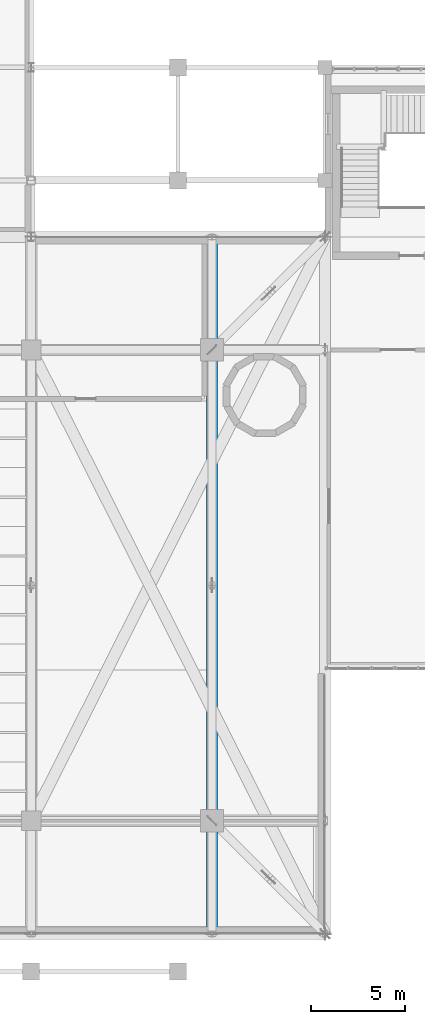
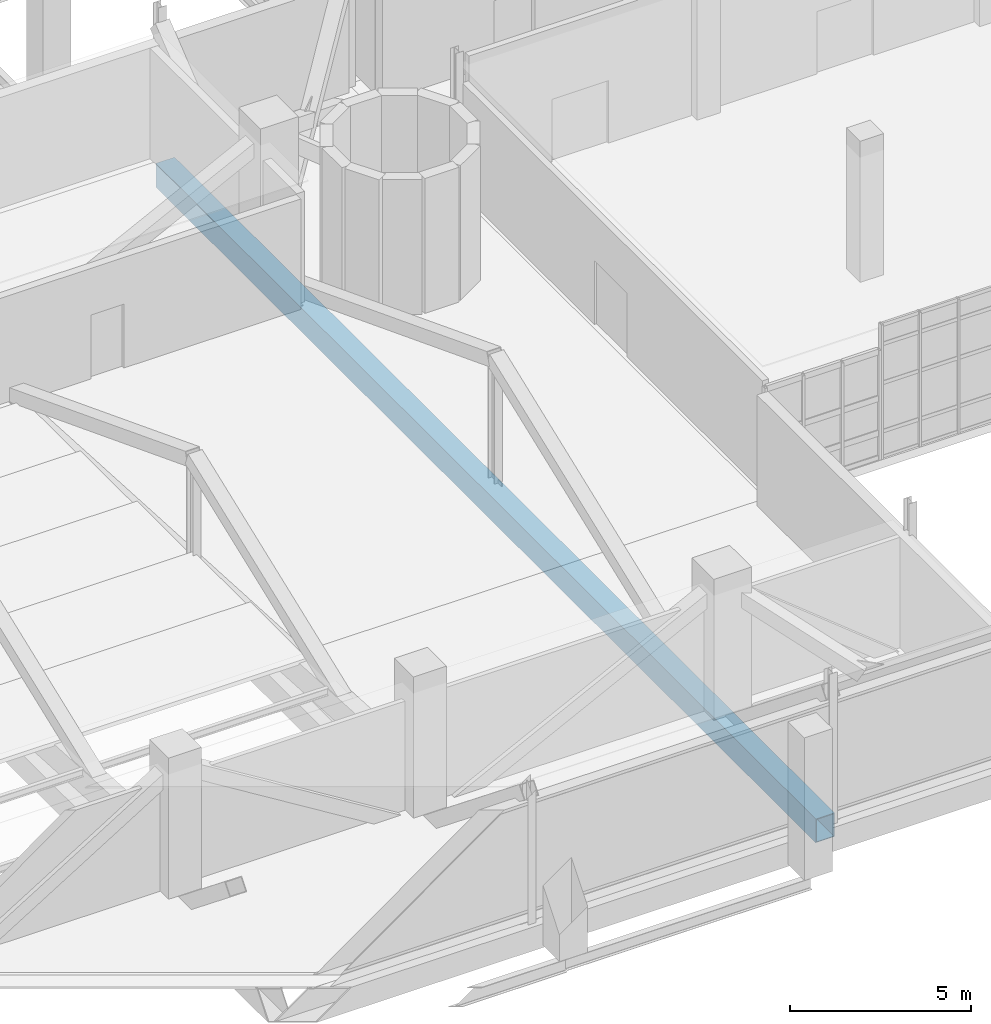
# One storey, part 54 of 127: 1 beam.
"""IFC4 building model written with IfcOpenShell, lengths in metres."""

from ifc_helpers import new_model, si_unit, derived_unit, direction, frame, origin, origin_2d, place, context, subcontext, project, spatial, hollow_rectangle, extrude, material, material_profile, profile_set, type_object, element, save


model = new_model("IFC4")

# Units and contexts
model_context = context("Model", 3, precision=1e-05, world=origin(), true_north=direction((0.0, 1.0)))
body_context = subcontext(model_context, "Body", "Model", "MODEL_VIEW")
ifc_project = project(units=[si_unit("LENGTHUNIT", "METRE"), si_unit("AREAUNIT", "SQUARE_METRE"), si_unit("VOLUMEUNIT", "CUBIC_METRE"), si_unit("PLANEANGLEUNIT", "RADIAN"), si_unit("MASSUNIT", "GRAM", prefix="KILO"), derived_unit("THERMALTRANSMITTANCEUNIT", [(si_unit("POWERUNIT", "WATT"), 1), (si_unit("LENGTHUNIT", "METRE"), -2), (si_unit("THERMODYNAMICTEMPERATUREUNIT", "KELVIN"), -1)])], contexts=[model_context])

# Site, building, storey
site_placement = place(None, origin())
site = spatial("IfcSite", under=ifc_project, at=site_placement, CompositionType="ELEMENT")
building_placement = place(site_placement, origin())
building = spatial("IfcBuilding", under=site, at=building_placement, Name="Nallur Shell Playhouse", CompositionType="ELEMENT")
storey_placement = place(building_placement, frame((0.0, 0.0, 5.39990234375)))
storey = spatial("IfcBuildingStorey", under=building, at=storey_placement, Name="L02", CompositionType="ELEMENT", Elevation=5.39990234375)

# Beam
ifc_material = material(Name="Steel E350", Category="steel")
ifc_material_profile = material_profile(ifc_material, hollow_rectangle(XDim=0.60009765625, YDim=0.800048828125, WallThickness=0.02490234375, at=origin_2d()), Name="BOX 600x800x25")
ifc_profile_set = profile_set([ifc_material_profile], Name="Steel E350")
beam_type = type_object("IfcBeamType", Name="BM-TT-CHORD", PredefinedType="BEAM", material=ifc_profile_set)
beam_placement = place(storey_placement, frame((112.60009765625, 10.298095703125, -0.679931640625), z_axis=(0.0, 1.0, 0.0), x_axis=(-1.0, 0.0, 0.0)))
element("IfcBeam", 1, at=beam_placement, inside=storey, type_object=beam_type, Name="Transfer truss TT-8 bottom chord 1", PredefinedType="BEAM", context=body_context, shape_type="SweptSolid", body=[
    extrude(hollow_rectangle(XDim=0.60009765625, YDim=0.800048828125, WallThickness=0.02490234375, at=origin_2d()), origin(), (0.0, 0.0, 1.0), 36.40380859375),
])

save(model, "model.ifc")
